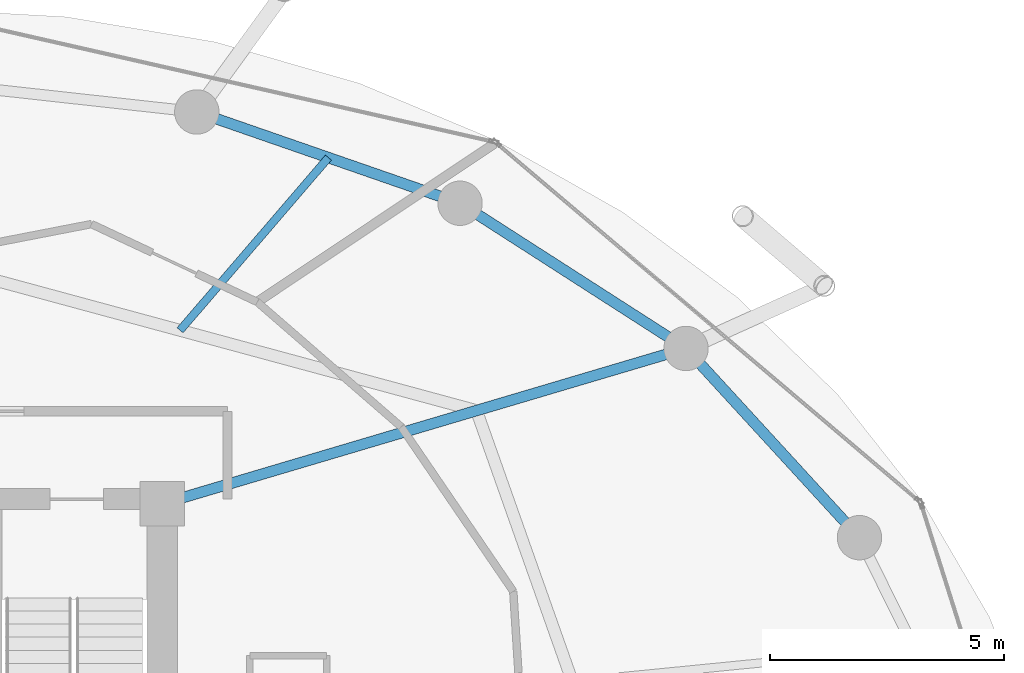
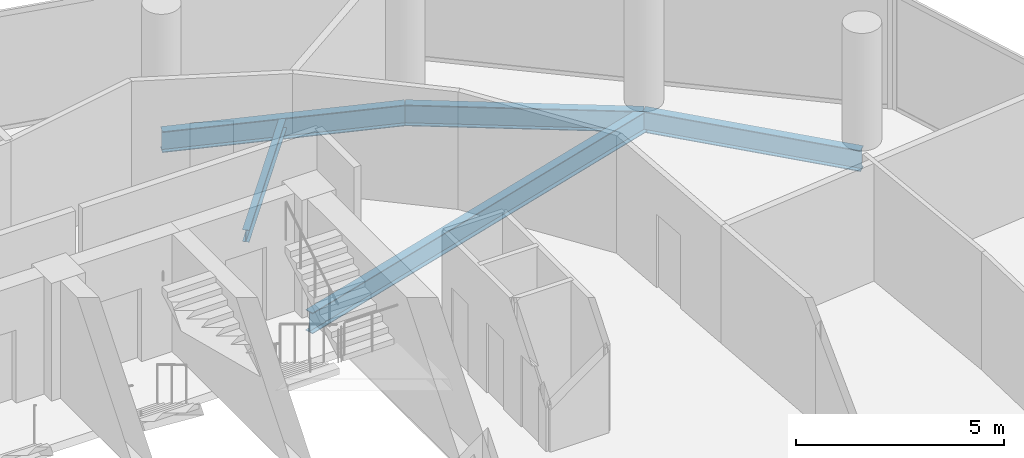
# One storey, part 18 of 26: 5 beams.
"""IFC4 building model written with IfcOpenShell, lengths in metres."""

from ifc_helpers import new_model, si_unit, direction, frame, origin, origin_2d, place, context, subcontext, project, spatial, i_section, extrude, material, material_profile, profile_set, type_object, element, save


model = new_model("IFC4")

# Units and contexts
model_context = context("Model", 3, precision=1e-05, world=origin(), true_north=direction((0.0, 1.0)))
body_context = subcontext(model_context, "Body", "Model", "MODEL_VIEW")
ifc_project = project(units=[si_unit("LENGTHUNIT", "METRE"), si_unit("AREAUNIT", "SQUARE_METRE"), si_unit("VOLUMEUNIT", "CUBIC_METRE"), si_unit("PLANEANGLEUNIT", "RADIAN"), si_unit("MASSUNIT", "GRAM", prefix="KILO")], contexts=[model_context])

# Site, building, storey
site_placement = place(None, origin())
site = spatial("IfcSite", under=ifc_project, at=site_placement, CompositionType="ELEMENT")
building_placement = place(site_placement, origin())
building = spatial("IfcBuilding", under=site, at=building_placement, Name="Nuhasar Tower", CompositionType="ELEMENT")
storey_placement = place(building_placement, frame((0.0, 0.0, 133.050048828125)))
storey = spatial("IfcBuildingStorey", under=building, at=storey_placement, Name="L31", CompositionType="ELEMENT", Elevation=133.050048828125)

# Beams
ifc_material = material(Name="Steel S355", Category="steel")
ifc_material_profile_1 = material_profile(ifc_material, i_section(OverallWidth=0.1708984375, OverallDepth=0.35205078125, WebThickness=0.0068359375, FlangeThickness=0.009765625, at=origin_2d()), Name="W14X30")
ifc_profile_set_1 = profile_set([ifc_material_profile_1], Name="Steel S355")
beam_type_1 = type_object("IfcBeamType", Name="BM-JST-W14X30", PredefinedType="JOIST", material=ifc_profile_set_1)
beam_1_placement = place(storey_placement, frame((44.68408203125, 41.011962890625, -0.426025390625), z_axis=(0.651690621509, 0.758484893612, 0.0), x_axis=(-0.758484893612, 0.651690621509, 0.0)))
element("IfcBeam", 1, at=beam_1_placement, inside=storey, type_object=beam_type_1, Name="L31 Secondary Floor Joist 05", PredefinedType="JOIST", context=body_context, shape_type="SweptSolid", body=[
    extrude(i_section(OverallWidth=0.1708984375, OverallDepth=0.35205078125, WebThickness=0.0068359375, FlangeThickness=0.009765625, at=origin_2d()), origin(), (0.0, 0.0, 1.0), 4.87158203125),
])
ifc_material_profile_2 = material_profile(ifc_material, i_section(OverallWidth=0.22900390625, OverallDepth=0.612060546875, WebThickness=0.011962890625, FlangeThickness=0.01953125, at=origin_2d()), Name="W24X84")
ifc_profile_set_2 = profile_set([ifc_material_profile_2], Name="Steel S355")
beam_type_2 = type_object("IfcBeamType", Name="BM-RAD-W24X84", PredefinedType="BEAM", material=ifc_profile_set_2)
beam_2_placement = place(storey_placement, frame((44.300048828125, 37.300048828125, -0.55615234375), z_axis=(0.958746492721, 0.284262489076, 0.0), x_axis=(-0.284262489076, 0.958746492721, 0.0)))
element("IfcBeam", 2, at=beam_2_placement, inside=storey, type_object=beam_type_2, Name="L31 Radial Floor Girder 05", PredefinedType="BEAM", context=body_context, shape_type="SweptSolid", body=[
    extrude(i_section(OverallWidth=0.22900390625, OverallDepth=0.612060546875, WebThickness=0.011962890625, FlangeThickness=0.01953125, at=origin_2d()), origin(), (0.0, 0.0, 1.0), 11.693359375),
])
ifc_material_profile_3 = material_profile(ifc_material, i_section(OverallWidth=0.22998046875, OverallDepth=0.616943359375, WebThickness=0.01318359375, FlangeThickness=0.022216796875, at=origin_2d()), Name="W24X94")
ifc_profile_set_3 = profile_set([ifc_material_profile_3], Name="Steel S355")
beam_type_3 = type_object("IfcBeamType", Name="BM-RING-W24X94", PredefinedType="SPANDREL", material=ifc_profile_set_3)
beam_3_placement = place(storey_placement, frame((59.221923828125, 36.574951171875, -0.55810546875), z_axis=(-0.675654174897, 0.737218716491, 0.0), x_axis=(-0.737218716491, -0.675654174897, 0.0)))
element("IfcBeam", 3, at=beam_3_placement, inside=storey, type_object=beam_type_3, Name="L31 Perimeter Ring Spandrel 03", PredefinedType="SPANDREL", context=body_context, shape_type="SweptSolid", body=[
    extrude(i_section(OverallWidth=0.22998046875, OverallDepth=0.616943359375, WebThickness=0.01318359375, FlangeThickness=0.022216796875, at=origin_2d()), origin(), (0.0, 0.0, 1.0), 5.492431640625),
])
beam_4_placement = place(storey_placement, frame((55.510986328125, 40.6240234375, -0.55810546875), z_axis=(-0.841327486207, 0.540525726448, 0.0), x_axis=(-0.540525726448, -0.841327486207, 0.0)))
element("IfcBeam", 4, at=beam_4_placement, inside=storey, type_object=beam_type_3, Name="L31 Perimeter Ring Spandrel 04", PredefinedType="SPANDREL", context=body_context, shape_type="SweptSolid", body=[
    extrude(i_section(OverallWidth=0.22998046875, OverallDepth=0.616943359375, WebThickness=0.01318359375, FlangeThickness=0.022216796875, at=origin_2d()), origin(), (0.0, 0.0, 1.0), 5.748046875),
])
beam_5_placement = place(storey_placement, frame((50.675048828125, 43.73095703125, -0.55810546875), z_axis=(-0.944801380051, 0.327643636066, 0.0), x_axis=(-0.327643636066, -0.944801380051, 0.0)))
element("IfcBeam", 5, at=beam_5_placement, inside=storey, type_object=beam_type_3, Name="L31 Perimeter Ring Spandrel 05", PredefinedType="SPANDREL", context=body_context, shape_type="SweptSolid", body=[
    extrude(i_section(OverallWidth=0.22998046875, OverallDepth=0.616943359375, WebThickness=0.01318359375, FlangeThickness=0.022216796875, at=origin_2d()), origin(), (0.0, 0.0, 1.0), 5.961181640625),
])

save(model, "model.ifc")
